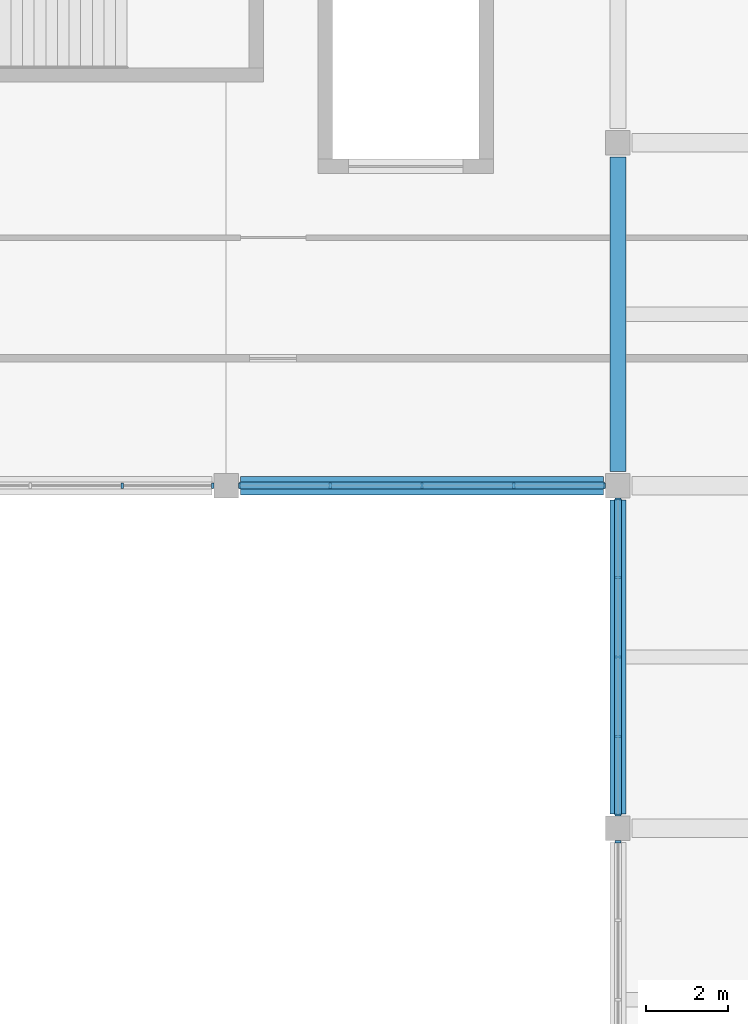
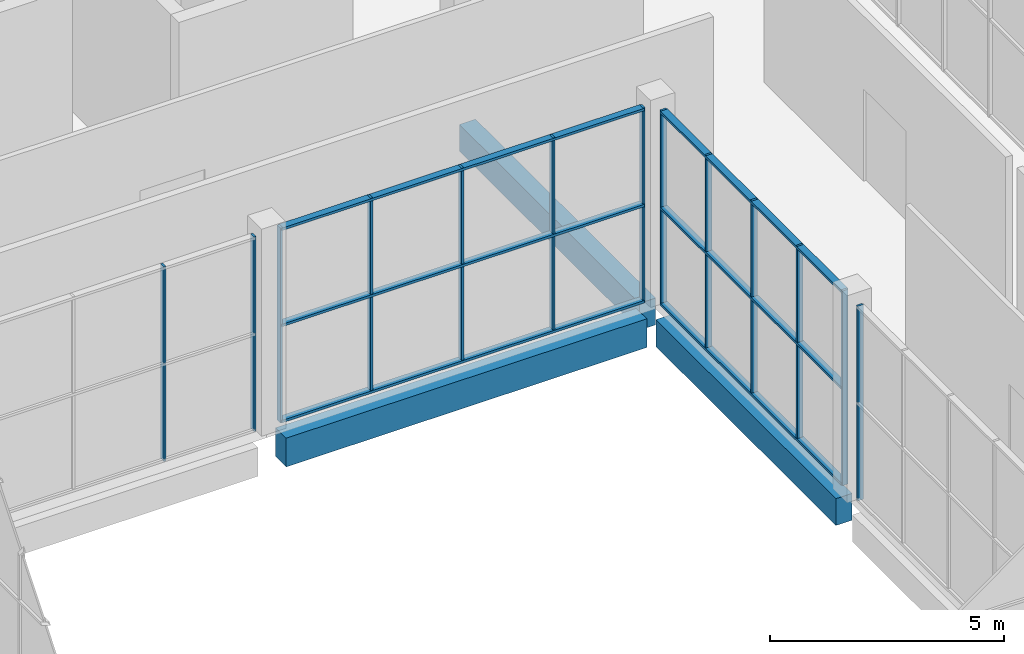
# One storey, part 25 of 83: 19 members, 3 beams, 4 elements without a shape of their own.
"""IFC4 building model written with IfcOpenShell, lengths in metres."""

from ifc_helpers import new_model, si_unit, direction, frame, origin, origin_2d, place, context, subcontext, project, spatial, rectangle, extrude, material, material_profile, profile_set, type_object, element, aggregate, save


model = new_model("IFC4")

# Units and contexts
model_context = context("Model", 3, precision=1e-05, world=origin(), true_north=direction((0.0, 1.0)))
body_context = subcontext(model_context, "Body", "Model", "MODEL_VIEW")
ifc_project = project(units=[si_unit("LENGTHUNIT", "METRE"), si_unit("AREAUNIT", "SQUARE_METRE"), si_unit("VOLUMEUNIT", "CUBIC_METRE"), si_unit("PLANEANGLEUNIT", "RADIAN"), si_unit("MASSUNIT", "GRAM", prefix="KILO")], contexts=[model_context])

# Site, building, storey
site_placement = place(None, origin())
site = spatial("IfcSite", under=ifc_project, at=site_placement, CompositionType="ELEMENT")
building_placement = place(site_placement, origin())
building = spatial("IfcBuilding", under=site, at=building_placement, Name="Shalvenor Court Art Gallery", CompositionType="ELEMENT")
storey_placement = place(building_placement, frame((0.0, 0.0, 6.0)))
storey = spatial("IfcBuildingStorey", under=building, at=storey_placement, Name="L01", CompositionType="ELEMENT", Elevation=6.0)

# Beams
ifc_material_1 = material(Name="Concrete C40/50", Category="concrete")
ifc_material_profile_1 = material_profile(ifc_material_1, rectangle(XDim=0.449951171875, YDim=0.75, at=origin_2d()), Name="RC 450x750")
ifc_profile_set_1 = profile_set([ifc_material_profile_1], Name="Concrete C40/50")
beam_type_1 = type_object("IfcBeamType", Name="B-04", PredefinedType="BEAM", material=ifc_profile_set_1)
beam_placement = place(storey_placement, frame((19.550048828125, 105.60009765625, -0.695068359375), z_axis=(1.0, 0.0, 0.0), x_axis=(0.0, 1.0, 0.0)))
element("IfcBeam", 1, at=beam_placement, inside=storey, type_object=beam_type_1, Name="L01 Girder BM-L01-B-04-0597", PredefinedType="BEAM", context=body_context, shape_type="SweptSolid", body=[
    extrude(rectangle(XDim=0.449951171875, YDim=0.75, at=origin_2d()), origin(), (0.0, 0.0, 1.0), 8.89990234375),
])
ifc_material_2 = material(Name="Concrete C40/50", Category="concrete")
ifc_material_profile_2 = material_profile(ifc_material_2, rectangle(XDim=0.39990234375, YDim=0.699951171875, at=origin_2d()), Name="RC 400x700")
ifc_profile_set_2 = profile_set([ifc_material_profile_2], Name="Concrete C40/50")
beam_type_2 = type_object("IfcBeamType", Name="B-05", PredefinedType="BEAM", material=ifc_profile_set_2)
for number, where, z_axis, x_axis, name in (
    (2, (28.800048828125, 97.550048828125, -0.669921875), (0.0, 1.0, 0.0), (-1.0, 0.0, 0.0), "L01 Girder BM-L01-B-05-0385"),
    (3, (28.800048828125, 105.949951171875, -0.669921875), (0.0, 1.0, 0.0), (-1.0, 0.0, 0.0), "L01 Girder BM-L01-B-05-0386"),
):
    element("IfcBeam", number, at=place(storey_placement, frame(where, z_axis=z_axis, x_axis=x_axis)), inside=storey, type_object=beam_type_2, Name=name, PredefinedType="BEAM", context=body_context, shape_type="SweptSolid", body=[
        extrude(rectangle(XDim=0.39990234375, YDim=0.699951171875, at=origin_2d()), origin(), (0.0, 0.0, 1.0), 7.699951171875),
    ])

# Curtain wall, member
ifc_material_3 = material(Name="Anodised aluminium and low-iron glass curtain wall", Category="aluminium")
curtain_wall_type_1 = type_object("IfcCurtainWallType", Name="CW-CT-4-78", PredefinedType="USERDEFINED", material=ifc_material_3)
curtain_wall_1_placement = place(storey_placement, origin())
curtain_wall_1 = element("IfcCurtainWall", 4, at=curtain_wall_1_placement, inside=storey, type_object=curtain_wall_type_1, Name="L01 Studios Courtyard Curtain Wall CW-CRT-L01-175", ObjectType="CURTAIN WALL", PredefinedType="USERDEFINED")
ifc_material_4 = material(Name="Anodised aluminium mullion", Category="aluminium")
ifc_material_profile_3 = material_profile(ifc_material_4, rectangle(XDim=0.054931640625, YDim=0.139892578125, at=origin_2d()), Name="CWM-06")
ifc_profile_set_3 = profile_set([ifc_material_profile_3], Name="Anodised aluminium mullion")
member_type_1 = type_object("IfcMemberType", Name="CWM-06", PredefinedType="MULLION", material=ifc_profile_set_3)
member_1_placement = place(storey_placement, frame((28.800048828125, 96.87255859375, 0.0), z_axis=(0.0, 0.0, 1.0), x_axis=(0.0, 1.0, 0.0)))
member_1 = element("IfcMember", 5, at=member_1_placement, type_object=member_type_1, Name="CW-CT-4-78 mullion 5", PredefinedType="MULLION", context=body_context, shape_type="SweptSolid", body=[
    extrude(rectangle(XDim=0.054931640625, YDim=0.139892578125, at=origin_2d()), origin(), (0.0, 0.0, 1.0), 5.080078125),
])
aggregate(curtain_wall_1, [member_1])

# Curtain wall, members
curtain_wall_2_placement = place(storey_placement, origin())
curtain_wall_2 = element("IfcCurtainWall", 6, at=curtain_wall_2_placement, inside=storey, type_object=curtain_wall_type_1, Name="L01 Studios Courtyard Curtain Wall CW-CRT-L01-176", ObjectType="CURTAIN WALL", PredefinedType="USERDEFINED")
member_2_placement = place(storey_placement, frame((28.800048828125, 97.527587890625, 0.0), z_axis=(0.0, 0.0, 1.0), x_axis=(0.0, 1.0, 0.0)))
member_2 = element("IfcMember", 7, at=member_2_placement, type_object=member_type_1, Name="CW-CT-4-78 mullion 1", PredefinedType="MULLION", context=body_context, shape_type="SweptSolid", body=[
    extrude(rectangle(XDim=0.054931640625, YDim=0.139892578125, at=origin_2d()), origin(), (0.0, 0.0, 1.0), 5.080078125),
])
member_3_placement = place(storey_placement, frame((28.800048828125, 99.449951171875, 0.0), z_axis=(0.0, 0.0, 1.0), x_axis=(0.0, 1.0, 0.0)))
member_3 = element("IfcMember", 8, at=member_3_placement, type_object=member_type_1, Name="CW-CT-4-78 mullion 2", PredefinedType="MULLION", context=body_context, shape_type="SweptSolid", body=[
    extrude(rectangle(XDim=0.054931640625, YDim=0.139892578125, at=origin_2d()), origin(), (0.0, 0.0, 1.0), 5.080078125),
])
member_4_placement = place(storey_placement, frame((28.800048828125, 101.39990234375, 0.0), z_axis=(0.0, 0.0, 1.0), x_axis=(0.0, 1.0, 0.0)))
member_4 = element("IfcMember", 9, at=member_4_placement, type_object=member_type_1, Name="CW-CT-4-78 mullion 3", PredefinedType="MULLION", context=body_context, shape_type="SweptSolid", body=[
    extrude(rectangle(XDim=0.054931640625, YDim=0.139892578125, at=origin_2d()), origin(), (0.0, 0.0, 1.0), 5.080078125),
])
member_5_placement = place(storey_placement, frame((28.800048828125, 103.35009765625, 0.0), z_axis=(0.0, 0.0, 1.0), x_axis=(0.0, 1.0, 0.0)))
member_5 = element("IfcMember", 10, at=member_5_placement, type_object=member_type_1, Name="CW-CT-4-78 mullion 4", PredefinedType="MULLION", context=body_context, shape_type="SweptSolid", body=[
    extrude(rectangle(XDim=0.054931640625, YDim=0.139892578125, at=origin_2d()), origin(), (0.0, 0.0, 1.0), 5.080078125),
])
member_6_placement = place(storey_placement, frame((28.800048828125, 105.2724609375, 0.0), z_axis=(0.0, 0.0, 1.0), x_axis=(0.0, 1.0, 0.0)))
member_6 = element("IfcMember", 11, at=member_6_placement, type_object=member_type_1, Name="CW-CT-4-78 mullion 5", PredefinedType="MULLION", context=body_context, shape_type="SweptSolid", body=[
    extrude(rectangle(XDim=0.054931640625, YDim=0.139892578125, at=origin_2d()), origin(), (0.0, 0.0, 1.0), 5.080078125),
])

ifc_material_5 = material(Name="Anodised aluminium and low-iron glass curtain wall", Category="aluminium")
curtain_wall_type_2 = type_object("IfcCurtainWallType", Name="CW-CT-4-90", PredefinedType="USERDEFINED", material=ifc_material_5)
curtain_wall_3_placement = place(storey_placement, origin())
curtain_wall_3 = element("IfcCurtainWall", 12, at=curtain_wall_3_placement, inside=storey, type_object=curtain_wall_type_2, Name="L01 Studios Courtyard Curtain Wall CW-CRT-L01-177", ObjectType="CURTAIN WALL", PredefinedType="USERDEFINED")
member_7_placement = place(storey_placement, frame((28.472412109375, 105.60009765625, 0.0), z_axis=(0.0, 0.0, 1.0), x_axis=(-1.0, 0.0, 0.0)))
member_7 = element("IfcMember", 13, at=member_7_placement, type_object=member_type_1, Name="CW-CT-4-90 mullion 1", PredefinedType="MULLION", context=body_context, shape_type="SweptSolid", body=[
    extrude(rectangle(XDim=0.054931640625, YDim=0.139892578125, at=origin_2d()), origin(), (0.0, 0.0, 1.0), 5.080078125),
])
member_8_placement = place(storey_placement, frame((26.25, 105.60009765625, 0.0), z_axis=(0.0, 0.0, 1.0), x_axis=(-1.0, 0.0, 0.0)))
member_8 = element("IfcMember", 14, at=member_8_placement, type_object=member_type_1, Name="CW-CT-4-90 mullion 2", PredefinedType="MULLION", context=body_context, shape_type="SweptSolid", body=[
    extrude(rectangle(XDim=0.054931640625, YDim=0.139892578125, at=origin_2d()), origin(), (0.0, 0.0, 1.0), 5.080078125),
])
member_9_placement = place(storey_placement, frame((24.0, 105.60009765625, 0.0), z_axis=(0.0, 0.0, 1.0), x_axis=(-1.0, 0.0, 0.0)))
member_9 = element("IfcMember", 15, at=member_9_placement, type_object=member_type_1, Name="CW-CT-4-90 mullion 3", PredefinedType="MULLION", context=body_context, shape_type="SweptSolid", body=[
    extrude(rectangle(XDim=0.054931640625, YDim=0.139892578125, at=origin_2d()), origin(), (0.0, 0.0, 1.0), 5.080078125),
])
member_10_placement = place(storey_placement, frame((21.75, 105.60009765625, 0.0), z_axis=(0.0, 0.0, 1.0), x_axis=(-1.0, 0.0, 0.0)))
member_10 = element("IfcMember", 16, at=member_10_placement, type_object=member_type_1, Name="CW-CT-4-90 mullion 4", PredefinedType="MULLION", context=body_context, shape_type="SweptSolid", body=[
    extrude(rectangle(XDim=0.054931640625, YDim=0.139892578125, at=origin_2d()), origin(), (0.0, 0.0, 1.0), 5.080078125),
])
member_11_placement = place(storey_placement, frame((19.527587890625, 105.60009765625, 0.0), z_axis=(0.0, 0.0, 1.0), x_axis=(-1.0, 0.0, 0.0)))
member_11 = element("IfcMember", 17, at=member_11_placement, type_object=member_type_1, Name="CW-CT-4-90 mullion 5", PredefinedType="MULLION", context=body_context, shape_type="SweptSolid", body=[
    extrude(rectangle(XDim=0.054931640625, YDim=0.139892578125, at=origin_2d()), origin(), (0.0, 0.0, 1.0), 5.080078125),
])

curtain_wall_4_placement = place(storey_placement, origin())
curtain_wall_4 = element("IfcCurtainWall", 18, at=curtain_wall_4_placement, inside=storey, type_object=curtain_wall_type_2, Name="L01 Studios Courtyard Curtain Wall CW-CRT-L01-178", ObjectType="CURTAIN WALL", PredefinedType="USERDEFINED")
member_12_placement = place(storey_placement, frame((18.87255859375, 105.60009765625, 0.0), z_axis=(0.0, 0.0, 1.0), x_axis=(-1.0, 0.0, 0.0)))
member_12 = element("IfcMember", 19, at=member_12_placement, type_object=member_type_1, Name="CW-CT-4-90 mullion 1", PredefinedType="MULLION", context=body_context, shape_type="SweptSolid", body=[
    extrude(rectangle(XDim=0.054931640625, YDim=0.139892578125, at=origin_2d()), origin(), (0.0, 0.0, 1.0), 5.080078125),
])
member_13_placement = place(storey_placement, frame((16.64990234375, 105.60009765625, 0.0), z_axis=(0.0, 0.0, 1.0), x_axis=(-1.0, 0.0, 0.0)))
member_13 = element("IfcMember", 20, at=member_13_placement, type_object=member_type_1, Name="CW-CT-4-90 mullion 2", PredefinedType="MULLION", context=body_context, shape_type="SweptSolid", body=[
    extrude(rectangle(XDim=0.054931640625, YDim=0.139892578125, at=origin_2d()), origin(), (0.0, 0.0, 1.0), 5.080078125),
])
aggregate(curtain_wall_4, [member_12, member_13])

# Member
ifc_material_6 = material(Name="Anodised aluminium transom", Category="aluminium")
ifc_material_profile_4 = material_profile(ifc_material_6, rectangle(XDim=0.169921875, YDim=0.06494140625, at=origin_2d()), Name="CWT-02")
ifc_profile_set_4 = profile_set([ifc_material_profile_4], Name="Anodised aluminium transom")
member_type_2 = type_object("IfcMemberType", Name="CWT-02", PredefinedType="USERDEFINED", material=ifc_profile_set_4)
member_14_placement = place(storey_placement, frame((28.800048828125, 97.527587890625, 0.032470703125), z_axis=(0.0, 1.0, 0.0), x_axis=(-1.0, 0.0, 0.0)))
member_14 = element("IfcMember", 21, at=member_14_placement, type_object=member_type_2, Name="CW-CT-4-78 transom 1", ObjectType="TRANSOM", PredefinedType="USERDEFINED", context=body_context, shape_type="SweptSolid", body=[
    extrude(rectangle(XDim=0.169921875, YDim=0.06494140625, at=origin_2d()), origin(), (0.0, 0.0, 1.0), 7.744873046875),
])

member_15_placement = place(storey_placement, frame((28.800048828125, 97.527587890625, 2.5400390625), z_axis=(0.0, 1.0, 0.0), x_axis=(-1.0, 0.0, 0.0)))
member_15 = element("IfcMember", 22, at=member_15_placement, type_object=member_type_2, Name="CW-CT-4-78 transom 2", ObjectType="TRANSOM", PredefinedType="USERDEFINED", context=body_context, shape_type="SweptSolid", body=[
    extrude(rectangle(XDim=0.169921875, YDim=0.06494140625, at=origin_2d()), origin(), (0.0, 0.0, 1.0), 7.744873046875),
])

member_16_placement = place(storey_placement, frame((28.800048828125, 97.527587890625, 5.047607421875), z_axis=(0.0, 1.0, 0.0), x_axis=(-1.0, 0.0, 0.0)))
member_16 = element("IfcMember", 23, at=member_16_placement, type_object=member_type_2, Name="CW-CT-4-78 transom 3", ObjectType="TRANSOM", PredefinedType="USERDEFINED", context=body_context, shape_type="SweptSolid", body=[
    extrude(rectangle(XDim=0.169921875, YDim=0.06494140625, at=origin_2d()), origin(), (0.0, 0.0, 1.0), 7.744873046875),
])

aggregate(curtain_wall_2, [member_2, member_3, member_4, member_5, member_6, member_14, member_15, member_16])

member_17_placement = place(storey_placement, frame((28.472412109375, 105.60009765625, 0.032470703125), z_axis=(-1.0, 0.0, 0.0), x_axis=(0.0, -1.0, 0.0)))
member_17 = element("IfcMember", 24, at=member_17_placement, type_object=member_type_2, Name="CW-CT-4-90 transom 1", ObjectType="TRANSOM", PredefinedType="USERDEFINED", context=body_context, shape_type="SweptSolid", body=[
    extrude(rectangle(XDim=0.169921875, YDim=0.06494140625, at=origin_2d()), origin(), (0.0, 0.0, 1.0), 8.94482421875),
])

member_18_placement = place(storey_placement, frame((28.472412109375, 105.60009765625, 2.5400390625), z_axis=(-1.0, 0.0, 0.0), x_axis=(0.0, -1.0, 0.0)))
member_18 = element("IfcMember", 25, at=member_18_placement, type_object=member_type_2, Name="CW-CT-4-90 transom 2", ObjectType="TRANSOM", PredefinedType="USERDEFINED", context=body_context, shape_type="SweptSolid", body=[
    extrude(rectangle(XDim=0.169921875, YDim=0.06494140625, at=origin_2d()), origin(), (0.0, 0.0, 1.0), 8.94482421875),
])

member_19_placement = place(storey_placement, frame((28.472412109375, 105.60009765625, 5.047607421875), z_axis=(-1.0, 0.0, 0.0), x_axis=(0.0, -1.0, 0.0)))
member_19 = element("IfcMember", 26, at=member_19_placement, type_object=member_type_2, Name="CW-CT-4-90 transom 3", ObjectType="TRANSOM", PredefinedType="USERDEFINED", context=body_context, shape_type="SweptSolid", body=[
    extrude(rectangle(XDim=0.169921875, YDim=0.06494140625, at=origin_2d()), origin(), (0.0, 0.0, 1.0), 8.94482421875),
])

aggregate(curtain_wall_3, [member_7, member_8, member_9, member_10, member_11, member_17, member_18, member_19])

save(model, "model.ifc")
